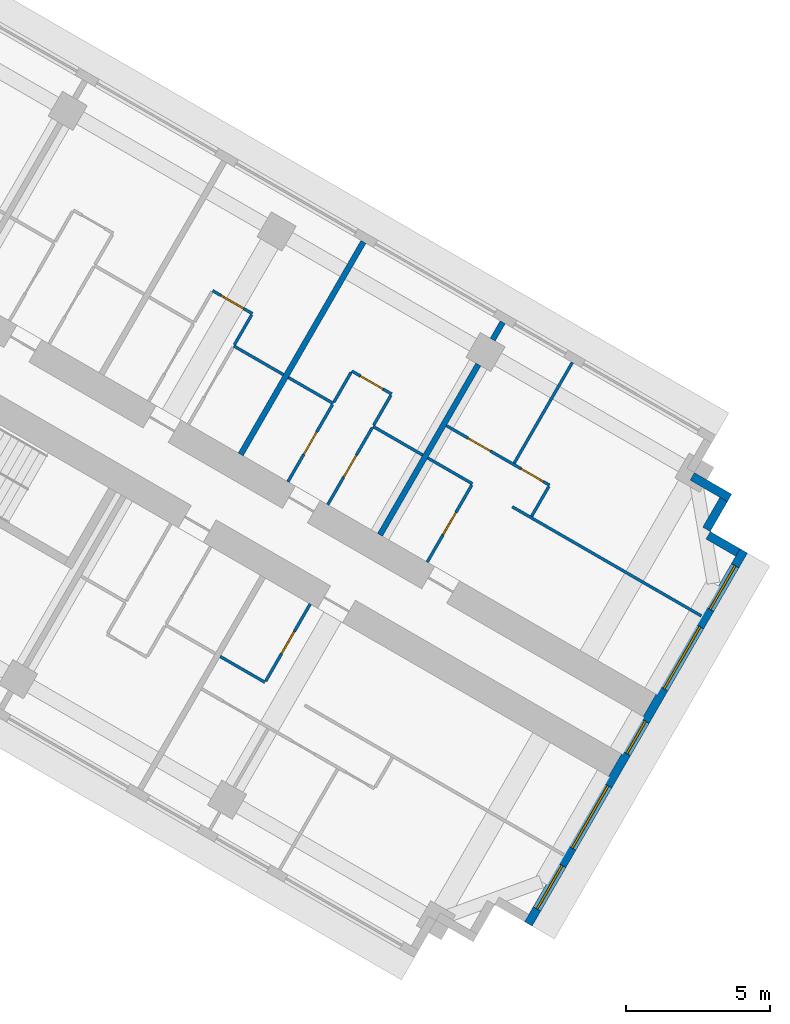
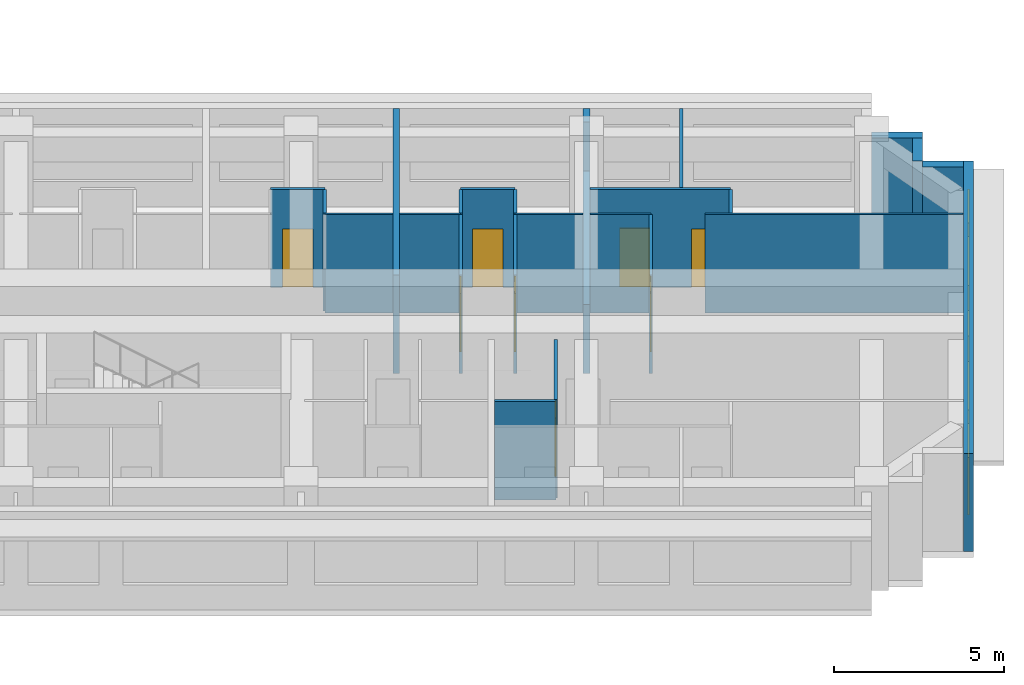
# One storey, part 11 of 14: 25 walls, 8 doors, 5 windows, 13 openings.
"""IFC4 building model written with IfcOpenShell, lengths in metres."""

import ifcopenshell
import ifcopenshell.guid

model = None  # the IFC model being written
_history = None  # IfcOwnerHistory: only IFC2X3 demands one
_inside = {}  # id of a spatial element -> (the spatial element, [elements in it])
_under = {}  # id of a project, library or spatial element -> (it, [spatial elements below it])
_declared = {}  # id of a project -> (the project, [libraries it declares])
_typed = {}  # id of a type object -> (the type object, [elements of that type])
_made_of = {}  # id of a material, layer set ... -> (it, [elements and type objects made of it])


def new_model(schema):
    """Start an empty IFC model of exactly this schema.

    Asked for "IFC4X3", IfcOpenShell would pick the latest addendum, in which some entities
    have other attributes; the version numbers below select the first issue.
    IFC2X3 requires an IfcOwnerHistory on every rooted entity: one is made here for all.
    """
    global model, _history
    if schema == "IFC4X3":
        model = ifcopenshell.file(schema_version=(4, 3, 0, 0))
    else:
        model = ifcopenshell.file(schema=schema)
    _inside.clear()
    _under.clear()
    _declared.clear()
    _typed.clear()
    _made_of.clear()
    _history = None
    if model.schema == "IFC2X3":
        org = make("IfcOrganization", Name="unknown")
        user = make(
            "IfcPersonAndOrganization",
            ThePerson=make("IfcPerson", FamilyName="unknown"),
            TheOrganization=org,
        )
        app = make(
            "IfcApplication",
            ApplicationDeveloper=org,
            Version="unknown",
            ApplicationFullName="unknown",
            ApplicationIdentifier="unknown",
        )
        _history = make(
            "IfcOwnerHistory",
            OwningUser=user,
            OwningApplication=app,
            ChangeAction="ADDED",
            CreationDate=0,
        )
    return model


def make(cls, **values):
    """One entity of the class cls with the attributes given. An attribute that is None is left unset."""
    return model.create_entity(
        cls, **{name: value for name, value in values.items() if value is not None}
    )


def rooted(cls, **values):
    """An entity with a GlobalId (a new one), such as an element, a storey or a relation."""
    return make(cls, GlobalId=ifcopenshell.guid.new(), OwnerHistory=_history, **values)


def si_unit(unit_type, name, prefix=None):
    """IfcSIUnit, for example si_unit("LENGTHUNIT", "METRE", prefix="MILLI")."""
    return make("IfcSIUnit", UnitType=unit_type, Prefix=prefix, Name=name)


def assignment(units):
    """IfcUnitAssignment: the units of a project."""
    return None if units is None else make("IfcUnitAssignment", Units=units)


def point(xyz):
    """IfcCartesianPoint."""
    return None if xyz is None else make("IfcCartesianPoint", Coordinates=xyz)


def direction(xyz):
    """IfcDirection."""
    return None if xyz is None else make("IfcDirection", DirectionRatios=xyz)


def frame(location, z_axis=None, x_axis=None):
    """IfcAxis2Placement3D, a coordinate frame: its origin and axes. An axis left out is left unset."""
    return make(
        "IfcAxis2Placement3D",
        Location=point(location),
        Axis=direction(z_axis),
        RefDirection=direction(x_axis),
    )


def frame_2d(location, x_axis=None):
    """IfcAxis2Placement2D, a coordinate frame in the plane: its origin and x axis."""
    return make(
        "IfcAxis2Placement2D", Location=point(location), RefDirection=direction(x_axis)
    )


def origin():
    """The frame at (0, 0, 0) with its axes left unset."""
    return frame((0.0, 0.0, 0.0))


def place(relative_to, where):
    """IfcLocalPlacement: puts the frame where relative to a parent placement (None: the world)."""
    return make(
        "IfcLocalPlacement", PlacementRelTo=relative_to, RelativePlacement=where
    )


def context(
    kind, dimensions, precision=None, world=None, true_north=None, identifier=None
):
    """IfcGeometricRepresentationContext, for example the 3D "Model" context."""
    return make(
        "IfcGeometricRepresentationContext",
        ContextIdentifier=identifier,
        ContextType=kind,
        CoordinateSpaceDimension=dimensions,
        Precision=precision,
        WorldCoordinateSystem=world,
        TrueNorth=true_north,
    )


def subcontext(parent, identifier, kind, view, scale=None):
    """IfcGeometricRepresentationSubContext, for example "Body" below "Model"."""
    return make(
        "IfcGeometricRepresentationSubContext",
        ContextIdentifier=identifier,
        ContextType=kind,
        ParentContext=parent,
        TargetScale=scale,
        TargetView=view,
    )


def project(units=None, contexts=None):
    """IfcProject with its units and contexts."""
    return rooted(
        "IfcProject",
        Name="project",
        RepresentationContexts=contexts,
        UnitsInContext=assignment(units),
    )


def spatial(cls, under=None, at=None, **own):
    """A site, building, storey or space (cls), placed at a placement, below another one or the project."""
    s = rooted(cls, ObjectPlacement=at, **own)
    if under is not None:
        _under.setdefault(under.id(), (under, []))[1].append(s)
    return s


def profile(cls, at=None, kind="AREA", **sizes):
    """A parametric profile (cls). Its sizes go by their IFC names, for example OverallWidth=200.0."""
    return make(cls, ProfileType=kind, Position=at, **sizes)


def rectangle(**sizes):
    """IfcRectangleProfileDef."""
    return profile("IfcRectangleProfileDef", **sizes)


def extrude(swept, where, along, depth):
    """IfcExtrudedAreaSolid: the profile swept, set in the frame where, extruded along a direction by depth."""
    return make(
        "IfcExtrudedAreaSolid",
        SweptArea=swept,
        Position=where,
        ExtrudedDirection=direction(along),
        Depth=depth,
    )


def shape(context_of_items, identifier, shape_type, items):
    """IfcShapeRepresentation: the items that make up one representation, for example the "Body"."""
    return make(
        "IfcShapeRepresentation",
        ContextOfItems=context_of_items,
        RepresentationIdentifier=identifier,
        RepresentationType=shape_type,
        Items=items,
    )


def material(Name=None, Category=None):
    """IfcMaterial."""
    return make("IfcMaterial", Name=Name, Category=Category)


def layer(
    of_material, thickness, ventilated=None, Name=None, Category=None, Priority=None
):
    """IfcMaterialLayer: one layer of a wall or slab, of a material (None: an air gap)."""
    return make(
        "IfcMaterialLayer",
        Material=of_material,
        LayerThickness=thickness,
        IsVentilated=ventilated,
        Name=Name,
        Category=Category,
        Priority=Priority,
    )


def layer_set(layers, Name=None):
    """IfcMaterialLayerSet."""
    return make("IfcMaterialLayerSet", MaterialLayers=layers, LayerSetName=Name)


def made_of(thing, what):
    """Note that an element or type object is made of a material, layer set ...; save() writes the relation."""
    if what is not None:
        _made_of.setdefault(what.id(), (what, []))[1].append(thing)
    return thing


def type_object(cls, material=None, **own):
    """A type object (cls), such as IfcWallType, which elements share."""
    return made_of(rooted(cls, **own), material)


def element(
    cls,
    number,
    at=None,
    inside=None,
    cuts=None,
    type_object=None,
    material=None,
    context=None,
    identifier="Body",
    shape_type=None,
    held_by="IfcProductDefinitionShape",
    body=None,
    shapes=None,
    **own,
):
    """One element of the class cls, such as IfcWall. Its Tag is "e" and its number.

    at: its placement. inside: the storey or other place that contains it. cuts: it is an
    opening in that element (IfcRelVoidsElement). A single representation is given by context,
    identifier, shape_type and body (its items); several are given by shapes. held_by: the class
    of the entity that holds the representations. save() writes the other relations.
    """
    e = rooted(cls, Tag="e%d" % number, ObjectPlacement=at, **own)
    if body is not None:
        shapes = [shape(context, identifier, shape_type, body)]
    if shapes is not None:
        e.Representation = make(held_by, Representations=shapes)
    if inside is not None:
        _inside.setdefault(inside.id(), (inside, []))[1].append(e)
    if cuts is not None:
        rooted(
            "IfcRelVoidsElement", RelatingBuildingElement=cuts, RelatedOpeningElement=e
        )
    if type_object is not None:
        _typed.setdefault(type_object.id(), (type_object, []))[1].append(e)
    return made_of(e, material)


def fill(opening, filler):
    """IfcRelFillsElement: the door or window that sits in an opening."""
    return rooted(
        "IfcRelFillsElement",
        RelatingOpeningElement=opening,
        RelatedBuildingElement=filler,
    )


def aggregate(whole, parts):
    """IfcRelAggregates: a whole, such as a stair, and the parts it consists of."""
    return rooted("IfcRelAggregates", RelatingObject=whole, RelatedObjects=parts)


def save(model, path):
    """Write the relations noted so far, then the file.

    IfcRelAggregates (storeys below a building ...), IfcRelContainedInSpatialStructure (elements
    in a storey), IfcRelDefinesByType, IfcRelAssociatesMaterial and IfcRelDeclares: one each for
    every whole, place, type object, material and project.
    """
    for whole, parts in _under.values():
        aggregate(whole, parts)
    for where, things in _inside.values():
        rooted(
            "IfcRelContainedInSpatialStructure",
            RelatedElements=things,
            RelatingStructure=where,
        )
    for kind, things in _typed.values():
        rooted("IfcRelDefinesByType", RelatedObjects=things, RelatingType=kind)
    for what, things in _made_of.values():
        rooted("IfcRelAssociatesMaterial", RelatedObjects=things, RelatingMaterial=what)
    for by, libraries in _declared.values():
        rooted("IfcRelDeclares", RelatingContext=by, RelatedDefinitions=libraries)
    model.write(path)


model = new_model("IFC4")

# Units and contexts
model_context = context("Model", 3, precision=1e-05, world=origin(), true_north=direction((0.0, 1.0)))
body_context = subcontext(model_context, "Body", "Model", "MODEL_VIEW")
ifc_project = project(units=[si_unit("LENGTHUNIT", "METRE"), si_unit("AREAUNIT", "SQUARE_METRE"), si_unit("VOLUMEUNIT", "CUBIC_METRE"), si_unit("PLANEANGLEUNIT", "RADIAN"), si_unit("MASSUNIT", "GRAM", prefix="KILO")], contexts=[model_context])

# Site, building, storey
site_placement = place(None, origin())
site = spatial("IfcSite", under=ifc_project, at=site_placement, CompositionType="ELEMENT")
building_placement = place(site_placement, origin())
building = spatial("IfcBuilding", under=site, at=building_placement, Name="Impinga Residences", CompositionType="ELEMENT")
storey_placement = place(building_placement, frame((0.0, 0.0, 147.25)))
storey = spatial("IfcBuildingStorey", under=building, at=storey_placement, Name="L36", CompositionType="ELEMENT", Elevation=147.25)

# Walls
ifc_material_1 = material(Name="Terracotta rainscreen on blockwork", Category="masonry")
ifc_layer_1 = layer(ifc_material_1, 0.300048828125)
ifc_layer_set_1 = layer_set([ifc_layer_1], Name="EW1 external wall, terracotta rainscreen on blockwork 300")
wall_type_1 = type_object("IfcWallType", Name="EW1 external wall, terracotta rainscreen on blockwork 300", PredefinedType="SOLIDWALL", material=ifc_layer_set_1)
wall_1_placement = place(storey_placement, frame((43.42333984375, -14.8515625, 0.0), z_axis=(0.0, 0.0, 1.0), x_axis=(0.866031096941, -0.499990139034, 0.0)))
element("IfcWall", 1, at=wall_1_placement, inside=storey, type_object=wall_type_1, Name="External wall EW1 L36", PredefinedType="SOLIDWALL", context=body_context, shape_type="SweptSolid", body=[
    extrude(rectangle(XDim=1.5, YDim=0.300048828125, at=frame_2d((0.75, 0.0))), origin(), (0.0, 0.0, 1.0), 3.530029296875),
])
wall_2_placement = place(storey_placement, frame((44.517578125, -15.65625, 0.0), z_axis=(0.0, 0.0, 1.0), x_axis=(-0.500033551112, -0.866006032174, 0.0)))
element("IfcWall", 2, at=wall_2_placement, inside=storey, type_object=wall_type_1, Name="External wall EW1 L36", PredefinedType="SOLIDWALL", context=body_context, shape_type="SweptSolid", body=[
    extrude(rectangle(XDim=1.2001953125, YDim=0.300048828125, at=frame_2d((0.60009765625, 0.0))), origin(), (0.0, 0.0, 1.0), 3.530029296875),
])
wall_3_placement = place(storey_placement, frame((43.976806640625, -16.903076171875, 0.0), z_axis=(0.0, 0.0, 1.0), x_axis=(0.866059708757, -0.499940577336, 0.0)))
element("IfcWall", 3, at=wall_3_placement, inside=storey, type_object=wall_type_1, Name="External wall EW1 L36", PredefinedType="SOLIDWALL", context=body_context, shape_type="SweptSolid", body=[
    extrude(rectangle(XDim=1.195068359375, YDim=0.300048828125, at=frame_2d((0.59765625, 0.0))), origin(), (0.0, 0.0, 1.0), 3.530029296875),
])

# Wall, openings, windows
wall_4_placement = place(storey_placement, frame((45.216552734375, -17.445556640625, 0.0), z_axis=(0.0, 0.0, 1.0), x_axis=(-0.499997186618, -0.866027028085, 0.0)))
wall_4 = element("IfcWall", 4, at=wall_4_placement, inside=storey, type_object=wall_type_1, Name="External wall EW1 L36", PredefinedType="SOLIDWALL", context=body_context, shape_type="SweptSolid", body=[
    extrude(rectangle(XDim=15.0, YDim=0.300048828125, at=frame_2d((7.5, 0.0))), origin(), (0.0, 0.0, 1.0), 3.530029296875),
])
opening_1_placement = place(wall_4_placement, frame((0.60009765625, 0.0, 0.89990234375)))
opening_1 = element("IfcOpeningElement", 5, at=opening_1_placement, cuts=wall_4, Name="Opening W1", PredefinedType="OPENING", context=body_context, shape_type="SweptSolid", body=[
    extrude(rectangle(XDim=1.75, YDim=2.050048828125, at=frame_2d((0.875, 1.02490234375))), frame((0.0, 0.159912109375, 0.0), z_axis=(0.0, -1.0, 0.0), x_axis=(1.0, 0.0, 0.0)), (0.0, 0.0, 1.0), 0.320068359375),
])
opening_2_placement = place(wall_4_placement, frame((3.050048828125, 0.0, 0.89990234375)))
opening_2 = element("IfcOpeningElement", 6, at=opening_2_placement, cuts=wall_4, Name="Opening W2", PredefinedType="OPENING", context=body_context, shape_type="SweptSolid", body=[
    extrude(rectangle(XDim=2.5, YDim=2.050048828125, at=frame_2d((1.25, 1.02490234375))), frame((0.0, 0.159912109375, 0.0), z_axis=(0.0, -1.0, 0.0), x_axis=(1.0, 0.0, 0.0)), (0.0, 0.0, 1.0), 0.320068359375),
])
opening_3_placement = place(wall_4_placement, frame((6.85009765625, 0.0, 0.89990234375)))
opening_3 = element("IfcOpeningElement", 7, at=opening_3_placement, cuts=wall_4, Name="Opening WE1", PredefinedType="OPENING", context=body_context, shape_type="SweptSolid", body=[
    extrude(rectangle(XDim=1.300048828125, YDim=2.050048828125, at=frame_2d((0.64990234375, 1.02490234375))), frame((0.0, 0.159912109375, 0.0), z_axis=(0.0, -1.0, 0.0), x_axis=(1.0, 0.0, 0.0)), (0.0, 0.0, 1.0), 0.320068359375),
])
opening_4_placement = place(wall_4_placement, frame((9.449951171875, 0.0, 0.89990234375)))
opening_4 = element("IfcOpeningElement", 8, at=opening_4_placement, cuts=wall_4, Name="Opening W2", PredefinedType="OPENING", context=body_context, shape_type="SweptSolid", body=[
    extrude(rectangle(XDim=2.5, YDim=2.050048828125, at=frame_2d((1.25, 1.02490234375))), frame((0.0, 0.159912109375, 0.0), z_axis=(0.0, -1.0, 0.0), x_axis=(1.0, 0.0, 0.0)), (0.0, 0.0, 1.0), 0.320068359375),
])
opening_5_placement = place(wall_4_placement, frame((12.64990234375, 0.0, 0.89990234375)))
opening_5 = element("IfcOpeningElement", 9, at=opening_5_placement, cuts=wall_4, Name="Opening W1", PredefinedType="OPENING", context=body_context, shape_type="SweptSolid", body=[
    extrude(rectangle(XDim=1.75, YDim=2.050048828125, at=frame_2d((0.875, 1.02490234375))), frame((0.0, 0.159912109375, 0.0), z_axis=(0.0, -1.0, 0.0), x_axis=(1.0, 0.0, 0.0)), (0.0, 0.0, 1.0), 0.320068359375),
])
ifc_material_2 = material(Name="Aluminium window, clear double glazing", Category="aluminium")
window_type_1 = type_object("IfcWindowType", Name="W1 ribbon window 1750x2050", PartitioningType="SINGLE_PANEL", PredefinedType="WINDOW", material=ifc_material_2)
window_1_placement = place(opening_1_placement, origin())
window_1 = element("IfcWindow", 10, at=window_1_placement, inside=storey, type_object=window_type_1, Name="Window L36", OverallHeight=2.050048828125, OverallWidth=1.75, PartitioningType="SINGLE_PANEL", PredefinedType="WINDOW", context=body_context, shape_type="SweptSolid", body=[
    extrude(rectangle(XDim=1.75, YDim=2.050048828125, at=frame_2d((0.875, 1.02490234375))), frame((0.0, 0.030029296875, 0.0), z_axis=(0.0, -1.0, 0.0), x_axis=(1.0, 0.0, 0.0)), (0.0, 0.0, 1.0), 0.06005859375),
])
fill(opening_1, window_1)
window_2_placement = place(opening_5_placement, origin())
window_2 = element("IfcWindow", 11, at=window_2_placement, inside=storey, type_object=window_type_1, Name="Window L36", OverallHeight=2.050048828125, OverallWidth=1.75, PartitioningType="SINGLE_PANEL", PredefinedType="WINDOW", context=body_context, shape_type="SweptSolid", body=[
    extrude(rectangle(XDim=1.75, YDim=2.050048828125, at=frame_2d((0.875, 1.02490234375))), frame((0.0, 0.030029296875, 0.0), z_axis=(0.0, -1.0, 0.0), x_axis=(1.0, 0.0, 0.0)), (0.0, 0.0, 1.0), 0.06005859375),
])
fill(opening_5, window_2)
window_type_2 = type_object("IfcWindowType", Name="W2 ribbon window 2500x2050", PartitioningType="SINGLE_PANEL", PredefinedType="WINDOW", material=ifc_material_2)
window_3_placement = place(opening_2_placement, origin())
window_3 = element("IfcWindow", 12, at=window_3_placement, inside=storey, type_object=window_type_2, Name="Window L36", OverallHeight=2.050048828125, OverallWidth=2.5, PartitioningType="SINGLE_PANEL", PredefinedType="WINDOW", context=body_context, shape_type="SweptSolid", body=[
    extrude(rectangle(XDim=2.5, YDim=2.050048828125, at=frame_2d((1.25, 1.02490234375))), frame((0.0, 0.030029296875, 0.0), z_axis=(0.0, -1.0, 0.0), x_axis=(1.0, 0.0, 0.0)), (0.0, 0.0, 1.0), 0.06005859375),
])
fill(opening_2, window_3)
window_4_placement = place(opening_4_placement, origin())
window_4 = element("IfcWindow", 13, at=window_4_placement, inside=storey, type_object=window_type_2, Name="Window L36", OverallHeight=2.050048828125, OverallWidth=2.5, PartitioningType="SINGLE_PANEL", PredefinedType="WINDOW", context=body_context, shape_type="SweptSolid", body=[
    extrude(rectangle(XDim=2.5, YDim=2.050048828125, at=frame_2d((1.25, 1.02490234375))), frame((0.0, 0.030029296875, 0.0), z_axis=(0.0, -1.0, 0.0), x_axis=(1.0, 0.0, 0.0)), (0.0, 0.0, 1.0), 0.06005859375),
])
fill(opening_4, window_4)
window_type_3 = type_object("IfcWindowType", Name="WE1 corridor window 1300x2050", PartitioningType="SINGLE_PANEL", PredefinedType="WINDOW", material=ifc_material_2)
window_5_placement = place(opening_3_placement, origin())
window_5 = element("IfcWindow", 14, at=window_5_placement, inside=storey, type_object=window_type_3, Name="Window L36", OverallHeight=2.050048828125, OverallWidth=1.300048828125, PartitioningType="SINGLE_PANEL", PredefinedType="WINDOW", context=body_context, shape_type="SweptSolid", body=[
    extrude(rectangle(XDim=1.300048828125, YDim=2.050048828125, at=frame_2d((0.64990234375, 1.02490234375))), frame((0.0, 0.030029296875, 0.0), z_axis=(0.0, -1.0, 0.0), x_axis=(1.0, 0.0, 0.0)), (0.0, 0.0, 1.0), 0.06005859375),
])
fill(opening_3, window_5)

# Wall
ifc_material_3 = material(Name="Gypsum board on steel studs", Category="steel")
ifc_layer_2 = layer(ifc_material_3, 0.10009765625)
ifc_layer_set_2 = layer_set([ifc_layer_2], Name="Gypsum board on steel studs")
wall_type_2 = type_object("IfcWallType", Name="IP1 partition 100", PredefinedType="PARTITIONING", material=ifc_layer_set_2)
wall_5_placement = place(storey_placement, frame((27.45556640625, -10.308837890625, 0.0), z_axis=(0.0, 0.0, 1.0), x_axis=(0.866010750942, -0.50002537861, 0.0)))
element("IfcWall", 15, at=wall_5_placement, inside=storey, type_object=wall_type_2, Name="Partition L36-EA3:DIV1", PredefinedType="PARTITIONING", context=body_context, shape_type="SweptSolid", body=[
    extrude(rectangle(XDim=2.0, YDim=0.10009765625, at=frame_2d((1.0, 0.0))), origin(), (0.0, 0.0, 1.0), 3.530029296875),
])

# Wall, opening, door
wall_6_placement = place(storey_placement, frame((26.7197265625, -8.383056640625, 0.0), z_axis=(0.0, 0.0, 1.0), x_axis=(0.866028054938, -0.499995408039, 0.0)))
wall_6 = element("IfcWall", 16, at=wall_6_placement, inside=storey, type_object=wall_type_2, Name="Partition L36-EA3:STRIP", PredefinedType="PARTITIONING", context=body_context, shape_type="SweptSolid", body=[
    extrude(rectangle(XDim=1.60009765625, YDim=0.10009765625, at=frame_2d((0.800048828125, 0.0))), origin(), (0.0, 0.0, 1.0), 3.530029296875),
])
opening_6_placement = place(wall_6_placement, frame((0.35009765625, 0.0, 0.0)))
opening_6 = element("IfcOpeningElement", 17, at=opening_6_placement, cuts=wall_6, Name="Opening D2", PredefinedType="OPENING", context=body_context, shape_type="SweptSolid", body=[
    extrude(rectangle(XDim=0.89990234375, YDim=2.10009765625, at=frame_2d((0.449951171875, 1.050048828125))), frame((0.0, 0.06005859375, 0.0), z_axis=(0.0, -1.0, 0.0), x_axis=(1.0, 0.0, 0.0)), (0.0, 0.0, 1.0), 0.1201171875),
])
ifc_material_4 = material(Name="Timber door set", Category="wood")
door_type = type_object("IfcDoorType", Name="D2 internal door 900x2100", OperationType="SINGLE_SWING_LEFT", PredefinedType="DOOR", material=ifc_material_4)
door_1_placement = place(opening_6_placement, origin())
door_1 = element("IfcDoor", 18, at=door_1_placement, inside=storey, type_object=door_type, Name="Apartment L36-EA3 room door", OperationType="SINGLE_SWING_LEFT", OverallHeight=2.10009765625, OverallWidth=0.89990234375, PredefinedType="DOOR", context=body_context, shape_type="SweptSolid", body=[
    extrude(rectangle(XDim=0.89990234375, YDim=2.10009765625, at=frame_2d((0.449951171875, 1.050048828125))), frame((0.0, 0.02490234375, 0.0), z_axis=(0.0, -1.0, 0.0), x_axis=(1.0, 0.0, 0.0)), (0.0, 0.0, 1.0), 0.050048828125),
])
fill(opening_6, door_1)

# Walls
wall_7_placement = place(storey_placement, frame((27.48046875, -10.265625, 0.0), z_axis=(0.0, 0.0, 1.0), x_axis=(0.500033551112, 0.866006032174, 0.0)))
element("IfcWall", 19, at=wall_7_placement, inside=storey, type_object=wall_type_2, Name="Partition L36-EA3:SE1", PredefinedType="PARTITIONING", context=body_context, shape_type="SweptSolid", body=[
    extrude(rectangle(XDim=1.2001953125, YDim=0.10009765625, at=frame_2d((0.60009765625, 0.0))), origin(), (0.0, 0.0, 1.0), 3.530029296875),
])
wall_8_placement = place(storey_placement, frame((29.360595703125, -11.408935546875, 0.0), z_axis=(0.0, 0.0, 1.0), x_axis=(0.866047807691, -0.499961193289, 0.0)))
element("IfcWall", 20, at=wall_8_placement, inside=storey, type_object=wall_type_2, Name="Partition L36-EA4:DIV0", PredefinedType="PARTITIONING", context=body_context, shape_type="SweptSolid", body=[
    extrude(rectangle(XDim=1.800048828125, YDim=0.10009765625, at=frame_2d((0.89990234375, 0.0))), origin(), (0.0, 0.0, 1.0), 3.530029296875),
])
wall_9_placement = place(storey_placement, frame((32.30517578125, -13.10888671875, 0.0), z_axis=(0.0, 0.0, 1.0), x_axis=(0.866041268327, -0.499972520799, 0.0)))
element("IfcWall", 21, at=wall_9_placement, inside=storey, type_object=wall_type_2, Name="Partition L36-EA4:DIV1", PredefinedType="PARTITIONING", context=body_context, shape_type="SweptSolid", body=[
    extrude(rectangle(XDim=2.0, YDim=0.10009765625, at=frame_2d((1.0, 0.0))), origin(), (0.0, 0.0, 1.0), 3.530029296875),
])

# Wall, opening, door
wall_10_placement = place(storey_placement, frame((31.569580078125, -11.18310546875, 0.0), z_axis=(0.0, 0.0, 1.0), x_axis=(0.866055983265, -0.499947031044, 0.0)))
wall_10 = element("IfcWall", 22, at=wall_10_placement, inside=storey, type_object=wall_type_2, Name="Partition L36-EA4:STRIP", PredefinedType="PARTITIONING", context=body_context, shape_type="SweptSolid", body=[
    extrude(rectangle(XDim=1.599853515625, YDim=0.10009765625, at=frame_2d((0.7998046875, 0.0))), origin(), (0.0, 0.0, 1.0), 3.530029296875),
])
opening_7_placement = place(wall_10_placement, frame((0.35009765625, 0.0, 0.0)))
opening_7 = element("IfcOpeningElement", 23, at=opening_7_placement, cuts=wall_10, Name="Opening D2", PredefinedType="OPENING", context=body_context, shape_type="SweptSolid", body=[
    extrude(rectangle(XDim=0.89990234375, YDim=2.10009765625, at=frame_2d((0.449951171875, 1.050048828125))), frame((0.0, 0.06005859375, 0.0), z_axis=(0.0, -1.0, 0.0), x_axis=(1.0, 0.0, 0.0)), (0.0, 0.0, 1.0), 0.1201171875),
])
door_2_placement = place(opening_7_placement, origin())
door_2 = element("IfcDoor", 24, at=door_2_placement, inside=storey, type_object=door_type, Name="Apartment L36-EA4 room door", OperationType="SINGLE_SWING_LEFT", OverallHeight=2.10009765625, OverallWidth=0.89990234375, PredefinedType="DOOR", context=body_context, shape_type="SweptSolid", body=[
    extrude(rectangle(XDim=0.89990234375, YDim=2.10009765625, at=frame_2d((0.449951171875, 1.050048828125))), frame((0.0, 0.02490234375, 0.0), z_axis=(0.0, -1.0, 0.0), x_axis=(1.0, 0.0, 0.0)), (0.0, 0.0, 1.0), 0.050048828125),
])
fill(opening_7, door_2)

# Walls
for number, where, z_axis, x_axis, name in (
    (25, (30.944580078125, -12.265625, 0.0), (0.0, 0.0, 1.0), (0.499880961361, 0.866094119867, 0.0), "Partition L36-EA4:SE0"),
    (26, (32.330078125, -13.0654296875, 0.0), (0.0, 0.0, 1.0), (0.50012165622, 0.865955154139, 0.0), "Partition L36-EA4:SE1"),
):
    element("IfcWall", number, at=place(storey_placement, frame(where, z_axis=z_axis, x_axis=x_axis)), inside=storey, type_object=wall_type_2, Name=name, PredefinedType="PARTITIONING", context=body_context, shape_type="SweptSolid", body=[
        extrude(rectangle(XDim=1.199951171875, YDim=0.10009765625, at=frame_2d((0.60009765625, 0.0))), origin(), (0.0, 0.0, 1.0), 3.530029296875),
    ])

# Wall, opening, door
wall_11_placement = place(storey_placement, frame((29.344482421875, -15.036865234375, 0.0), z_axis=(0.0, 0.0, 1.0), x_axis=(0.49999285859, 0.86602952684, 0.0)))
wall_11 = element("IfcWall", 27, at=wall_11_placement, inside=storey, type_object=wall_type_2, Name="Partition L36-EA4:IB1", PredefinedType="PARTITIONING", context=body_context, shape_type="SweptSolid", body=[
    extrude(rectangle(XDim=3.10009765625, YDim=0.10009765625, at=frame_2d((1.550048828125, 0.0))), origin(), (0.0, 0.0, 1.0), 3.530029296875),
])
opening_8_placement = place(wall_11_placement, frame((1.10009765625, 0.0, 0.0)))
opening_8 = element("IfcOpeningElement", 28, at=opening_8_placement, cuts=wall_11, Name="Opening D2", PredefinedType="OPENING", context=body_context, shape_type="SweptSolid", body=[
    extrude(rectangle(XDim=0.89990234375, YDim=2.10009765625, at=frame_2d((0.449951171875, 1.050048828125))), frame((0.0, 0.06005859375, 0.0), z_axis=(0.0, -1.0, 0.0), x_axis=(1.0, 0.0, 0.0)), (0.0, 0.0, 1.0), 0.1201171875),
])
door_3_placement = place(opening_8_placement, origin())
door_3 = element("IfcDoor", 29, at=door_3_placement, inside=storey, type_object=door_type, Name="Apartment L36-EA4 bathroom door", OperationType="SINGLE_SWING_LEFT", OverallHeight=2.10009765625, OverallWidth=0.89990234375, PredefinedType="DOOR", context=body_context, shape_type="SweptSolid", body=[
    extrude(rectangle(XDim=0.89990234375, YDim=2.10009765625, at=frame_2d((0.449951171875, 1.050048828125))), frame((0.0, 0.02490234375, 0.0), z_axis=(0.0, -1.0, 0.0), x_axis=(1.0, 0.0, 0.0)), (0.0, 0.0, 1.0), 0.050048828125),
])
fill(opening_8, door_3)

wall_12_placement = place(storey_placement, frame((30.730224609375, -15.8369140625, 0.0), z_axis=(0.0, 0.0, 1.0), x_axis=(0.49999285859, 0.86602952684, 0.0)))
wall_12 = element("IfcWall", 30, at=wall_12_placement, inside=storey, type_object=wall_type_2, Name="Partition L36-EA4:IB2", PredefinedType="PARTITIONING", context=body_context, shape_type="SweptSolid", body=[
    extrude(rectangle(XDim=3.10009765625, YDim=0.10009765625, at=frame_2d((1.550048828125, 0.0))), origin(), (0.0, 0.0, 1.0), 3.530029296875),
])
opening_9_placement = place(wall_12_placement, frame((1.10009765625, 0.0, 0.0)))
opening_9 = element("IfcOpeningElement", 31, at=opening_9_placement, cuts=wall_12, Name="Opening D2", PredefinedType="OPENING", context=body_context, shape_type="SweptSolid", body=[
    extrude(rectangle(XDim=0.89990234375, YDim=2.10009765625, at=frame_2d((0.449951171875, 1.050048828125))), frame((0.0, 0.06005859375, 0.0), z_axis=(0.0, -1.0, 0.0), x_axis=(1.0, 0.0, 0.0)), (0.0, 0.0, 1.0), 0.1201171875),
])
door_4_placement = place(opening_9_placement, origin())
door_4 = element("IfcDoor", 32, at=door_4_placement, inside=storey, type_object=door_type, Name="Apartment L36-EA4 WC door", OperationType="SINGLE_SWING_LEFT", OverallHeight=2.10009765625, OverallWidth=0.89990234375, PredefinedType="DOOR", context=body_context, shape_type="SweptSolid", body=[
    extrude(rectangle(XDim=0.89990234375, YDim=2.10009765625, at=frame_2d((0.449951171875, 1.050048828125))), frame((0.0, 0.02490234375, 0.0), z_axis=(0.0, -1.0, 0.0), x_axis=(1.0, 0.0, 0.0)), (0.0, 0.0, 1.0), 0.050048828125),
])
fill(opening_9, door_4)

# Walls
wall_13_placement = place(storey_placement, frame((34.21044921875, -14.208740234375, 0.0), z_axis=(0.0, 0.0, 1.0), x_axis=(0.865989075817, -0.500062916607, 0.0)))
element("IfcWall", 33, at=wall_13_placement, inside=storey, type_object=wall_type_2, Name="Partition L36-EA5:DIV0", PredefinedType="PARTITIONING", context=body_context, shape_type="SweptSolid", body=[
    extrude(rectangle(XDim=1.800048828125, YDim=0.10009765625, at=frame_2d((0.89990234375, 0.0))), origin(), (0.0, 0.0, 1.0), 3.530029296875),
])
wall_14_placement = place(storey_placement, frame((37.155029296875, -15.908935546875, 0.0), z_axis=(0.0, 0.0, 1.0), x_axis=(0.866036335692, -0.499981064903, 0.0)))
element("IfcWall", 34, at=wall_14_placement, inside=storey, type_object=wall_type_2, Name="Partition L36-EA5:DIV1", PredefinedType="PARTITIONING", context=body_context, shape_type="SweptSolid", body=[
    extrude(rectangle(XDim=7.599853515625, YDim=0.10009765625, at=frame_2d((3.7998046875, 0.0))), origin(), (0.0, 0.0, 1.0), 3.530029296875),
])

# Wall, openings, doors
wall_15_placement = place(storey_placement, frame((34.8603515625, -13.0830078125, 0.0), z_axis=(0.0, 0.0, 1.0), x_axis=(0.86602981871, -0.499992353047, 0.0)))
wall_15 = element("IfcWall", 35, at=wall_15_placement, inside=storey, type_object=wall_type_2, Name="Partition L36-EA5:STRIP", PredefinedType="PARTITIONING", context=body_context, shape_type="SweptSolid", body=[
    extrude(rectangle(XDim=4.14990234375, YDim=0.10009765625, at=frame_2d((2.074951171875, 0.0))), origin(), (0.0, 0.0, 1.0), 3.530029296875),
])
opening_10_placement = place(wall_15_placement, frame((0.875, 0.0, 0.0)))
opening_10 = element("IfcOpeningElement", 36, at=opening_10_placement, cuts=wall_15, Name="Opening D2", PredefinedType="OPENING", context=body_context, shape_type="SweptSolid", body=[
    extrude(rectangle(XDim=0.89990234375, YDim=2.10009765625, at=frame_2d((0.449951171875, 1.050048828125))), frame((0.0, 0.06005859375, 0.0), z_axis=(0.0, -1.0, 0.0), x_axis=(1.0, 0.0, 0.0)), (0.0, 0.0, 1.0), 0.1201171875),
])
opening_11_placement = place(wall_15_placement, frame((3.0, 0.0, 0.0)))
opening_11 = element("IfcOpeningElement", 37, at=opening_11_placement, cuts=wall_15, Name="Opening D2", PredefinedType="OPENING", context=body_context, shape_type="SweptSolid", body=[
    extrude(rectangle(XDim=0.89990234375, YDim=2.10009765625, at=frame_2d((0.449951171875, 1.050048828125))), frame((0.0, 0.06005859375, 0.0), z_axis=(0.0, -1.0, 0.0), x_axis=(1.0, 0.0, 0.0)), (0.0, 0.0, 1.0), 0.1201171875),
])
door_5_placement = place(opening_10_placement, origin())
door_5 = element("IfcDoor", 38, at=door_5_placement, inside=storey, type_object=door_type, Name="Apartment L36-EA5 room door", OperationType="SINGLE_SWING_LEFT", OverallHeight=2.10009765625, OverallWidth=0.89990234375, PredefinedType="DOOR", context=body_context, shape_type="SweptSolid", body=[
    extrude(rectangle(XDim=0.89990234375, YDim=2.10009765625, at=frame_2d((0.449951171875, 1.050048828125))), frame((0.0, 0.02490234375, 0.0), z_axis=(0.0, -1.0, 0.0), x_axis=(1.0, 0.0, 0.0)), (0.0, 0.0, 1.0), 0.050048828125),
])
fill(opening_10, door_5)
door_6_placement = place(opening_11_placement, origin())
door_6 = element("IfcDoor", 39, at=door_6_placement, inside=storey, type_object=door_type, Name="Apartment L36-EA5 room door", OperationType="SINGLE_SWING_RIGHT", OverallHeight=2.10009765625, OverallWidth=0.89990234375, PredefinedType="DOOR", context=body_context, shape_type="SweptSolid", body=[
    extrude(rectangle(XDim=0.89990234375, YDim=2.10009765625, at=frame_2d((0.449951171875, 1.050048828125))), frame((0.0, 0.02490234375, 0.0), z_axis=(0.0, -1.0, 0.0), x_axis=(1.0, 0.0, 0.0)), (0.0, 0.0, 1.0), 0.050048828125),
])
fill(opening_11, door_6)

# Wall
wall_16_placement = place(storey_placement, frame((37.829345703125, -16.240478515625, 0.0), z_axis=(0.0, 0.0, 1.0), x_axis=(0.50012165622, 0.865955154139, 0.0)))
element("IfcWall", 40, at=wall_16_placement, inside=storey, type_object=wall_type_2, Name="Partition L36-EA5:SE1", PredefinedType="PARTITIONING", context=body_context, shape_type="SweptSolid", body=[
    extrude(rectangle(XDim=1.199951171875, YDim=0.10009765625, at=frame_2d((0.60009765625, 0.0))), origin(), (0.0, 0.0, 1.0), 3.530029296875),
])

# Wall, opening, door
wall_17_placement = place(storey_placement, frame((34.1943359375, -17.8369140625, 0.0), z_axis=(0.0, 0.0, 1.0), x_axis=(0.49999285859, 0.86602952684, 0.0)))
wall_17 = element("IfcWall", 41, at=wall_17_placement, inside=storey, type_object=wall_type_2, Name="Partition L36-EA5:IB1", PredefinedType="PARTITIONING", context=body_context, shape_type="SweptSolid", body=[
    extrude(rectangle(XDim=3.10009765625, YDim=0.10009765625, at=frame_2d((1.550048828125, 0.0))), origin(), (0.0, 0.0, 1.0), 3.530029296875),
])
opening_12_placement = place(wall_17_placement, frame((1.10009765625, 0.0, 0.0)))
opening_12 = element("IfcOpeningElement", 42, at=opening_12_placement, cuts=wall_17, Name="Opening D2", PredefinedType="OPENING", context=body_context, shape_type="SweptSolid", body=[
    extrude(rectangle(XDim=0.89990234375, YDim=2.10009765625, at=frame_2d((0.449951171875, 1.050048828125))), frame((0.0, 0.06005859375, 0.0), z_axis=(0.0, -1.0, 0.0), x_axis=(1.0, 0.0, 0.0)), (0.0, 0.0, 1.0), 0.1201171875),
])
door_7_placement = place(opening_12_placement, origin())
door_7 = element("IfcDoor", 43, at=door_7_placement, inside=storey, type_object=door_type, Name="Apartment L36-EA5 bathroom door", OperationType="SINGLE_SWING_LEFT", OverallHeight=2.10009765625, OverallWidth=0.89990234375, PredefinedType="DOOR", context=body_context, shape_type="SweptSolid", body=[
    extrude(rectangle(XDim=0.89990234375, YDim=2.10009765625, at=frame_2d((0.449951171875, 1.050048828125))), frame((0.0, 0.02490234375, 0.0), z_axis=(0.0, -1.0, 0.0), x_axis=(1.0, 0.0, 0.0)), (0.0, 0.0, 1.0), 0.050048828125),
])
fill(opening_12, door_7)

# Walls
wall_18_placement = place(storey_placement, frame((37.2236328125, -14.3896484375, 0.0), z_axis=(0.0, 0.0, 1.0), x_axis=(0.500035537042, 0.866004885491, 0.0)))
element("IfcWall", 44, at=wall_18_placement, inside=storey, type_object=wall_type_2, Name="Partition L36-EA5:OB1", PredefinedType="PARTITIONING", context=body_context, shape_type="SweptSolid", body=[
    extrude(rectangle(XDim=4.050048828125, YDim=0.10009765625, at=frame_2d((2.02490234375, 0.0))), origin(), (0.0, 0.0, 1.0), 3.530029296875),
])
wall_19_placement = place(storey_placement, frame((26.985595703125, -21.122802734375, 0.0), z_axis=(0.0, 0.0, 1.0), x_axis=(0.866047807691, -0.499961193289, 0.0)))
element("IfcWall", 45, at=wall_19_placement, inside=storey, type_object=wall_type_2, Name="Partition L36-EF3:DIV0", PredefinedType="PARTITIONING", context=body_context, shape_type="SweptSolid", body=[
    extrude(rectangle(XDim=1.800048828125, YDim=0.10009765625, at=frame_2d((0.89990234375, 0.0))), origin(), (0.0, 0.0, 1.0), 3.530029296875),
])

# Wall, opening, door
wall_20_placement = place(storey_placement, frame((30.119384765625, -19.294677734375, 0.0), z_axis=(0.0, 0.0, 1.0), x_axis=(-0.49999285859, -0.86602952684, 0.0)))
wall_20 = element("IfcWall", 46, at=wall_20_placement, inside=storey, type_object=wall_type_2, Name="Partition L36-EF3:IB1", PredefinedType="PARTITIONING", context=body_context, shape_type="SweptSolid", body=[
    extrude(rectangle(XDim=3.10009765625, YDim=0.10009765625, at=frame_2d((1.550048828125, 0.0))), origin(), (0.0, 0.0, 1.0), 3.530029296875),
])
opening_13_placement = place(wall_20_placement, frame((1.10009765625, 0.0, 0.0)))
opening_13 = element("IfcOpeningElement", 47, at=opening_13_placement, cuts=wall_20, Name="Opening D2", PredefinedType="OPENING", context=body_context, shape_type="SweptSolid", body=[
    extrude(rectangle(XDim=0.89990234375, YDim=2.10009765625, at=frame_2d((0.449951171875, 1.050048828125))), frame((0.0, 0.06005859375, 0.0), z_axis=(0.0, -1.0, 0.0), x_axis=(1.0, 0.0, 0.0)), (0.0, 0.0, 1.0), 0.1201171875),
])
door_8_placement = place(opening_13_placement, origin())
door_8 = element("IfcDoor", 48, at=door_8_placement, inside=storey, type_object=door_type, Name="Apartment L36-EF3 bathroom door", OperationType="SINGLE_SWING_LEFT", OverallHeight=2.10009765625, OverallWidth=0.89990234375, PredefinedType="DOOR", context=body_context, shape_type="SweptSolid", body=[
    extrude(rectangle(XDim=0.89990234375, YDim=2.10009765625, at=frame_2d((0.449951171875, 1.050048828125))), frame((0.0, 0.02490234375, 0.0), z_axis=(0.0, -1.0, 0.0), x_axis=(1.0, 0.0, 0.0)), (0.0, 0.0, 1.0), 0.050048828125),
])
fill(opening_13, door_8)

# Walls
ifc_material_5 = material(Name="Concrete blockwork", Category="masonry")
ifc_layer_3 = layer(ifc_material_5, 0.199951171875)
ifc_layer_set_3 = layer_set([ifc_layer_3], Name="PW1 party wall between apartments 200")
wall_type_3 = type_object("IfcWallType", Name="PW1 party wall between apartments 200", PredefinedType="SOLIDWALL", material=ifc_layer_set_3)
wall_21_placement = place(storey_placement, frame((27.69921875, -14.0869140625, 0.0), z_axis=(0.0, 0.0, 1.0), x_axis=(0.499990227581, 0.86603104582, 0.0)))
element("IfcWall", 49, at=wall_21_placement, inside=storey, type_object=wall_type_3, Name="Party wall between apartments L36-EA3:PARTY", PredefinedType="SOLIDWALL", context=body_context, shape_type="SweptSolid", body=[
    extrude(rectangle(XDim=8.550048828125, YDim=0.199951171875, at=frame_2d((4.27490234375, 0.0))), origin(), (0.0, 0.0, 1.0), 3.530029296875),
])
wall_22_placement = place(storey_placement, frame((32.548828125, -16.88671875, 0.0), z_axis=(0.0, 0.0, 1.0), x_axis=(0.500014519185, 0.866017020967, 0.0)))
element("IfcWall", 50, at=wall_22_placement, inside=storey, type_object=wall_type_3, Name="Party wall between apartments L36-EA4:PARTY", PredefinedType="SOLIDWALL", context=body_context, shape_type="SweptSolid", body=[
    extrude(rectangle(XDim=6.849853515625, YDim=0.199951171875, at=frame_2d((3.4248046875, 0.0))), origin(), (0.0, 0.0, 1.0), 2.47998046875),
])
wall_23_placement = place(storey_placement, frame((36.473876953125, -10.088623046875, 0.0), z_axis=(0.0, 0.0, 1.0), x_axis=(0.499853302173, 0.866110083249, 0.0)))
element("IfcWall", 51, at=wall_23_placement, inside=storey, type_object=wall_type_3, Name="Party wall between apartments L36-EA4:PARTYb", PredefinedType="SOLIDWALL", context=body_context, shape_type="SweptSolid", body=[
    extrude(rectangle(XDim=0.699951171875, YDim=0.199951171875, at=frame_2d((0.35009765625, 0.0))), origin(), (0.0, 0.0, 1.0), 3.530029296875),
])

save(model, "model.ifc")
